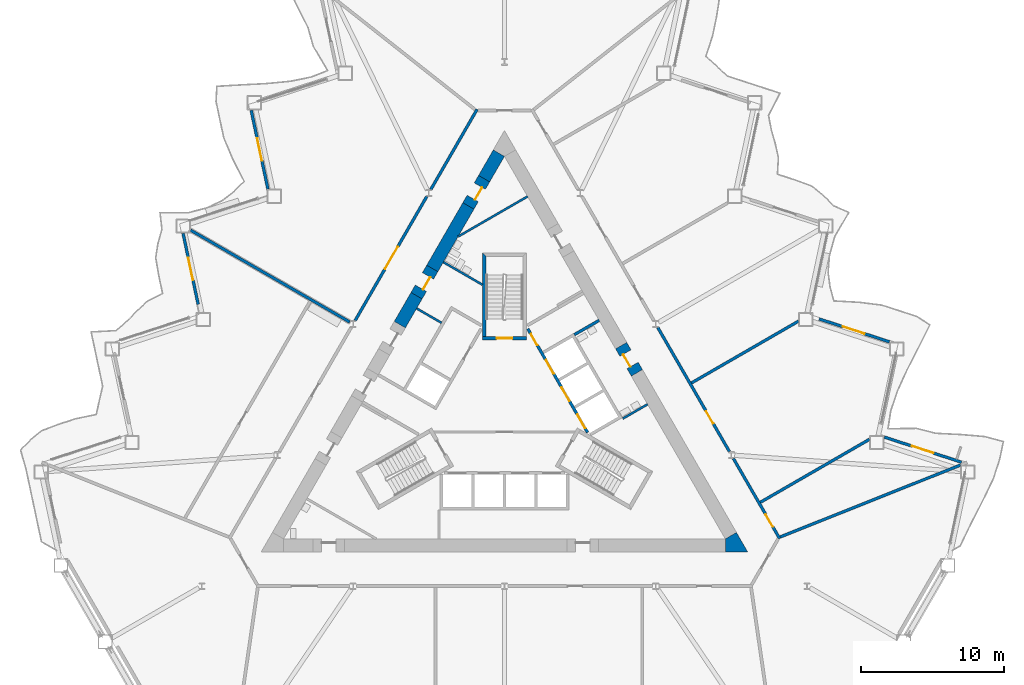
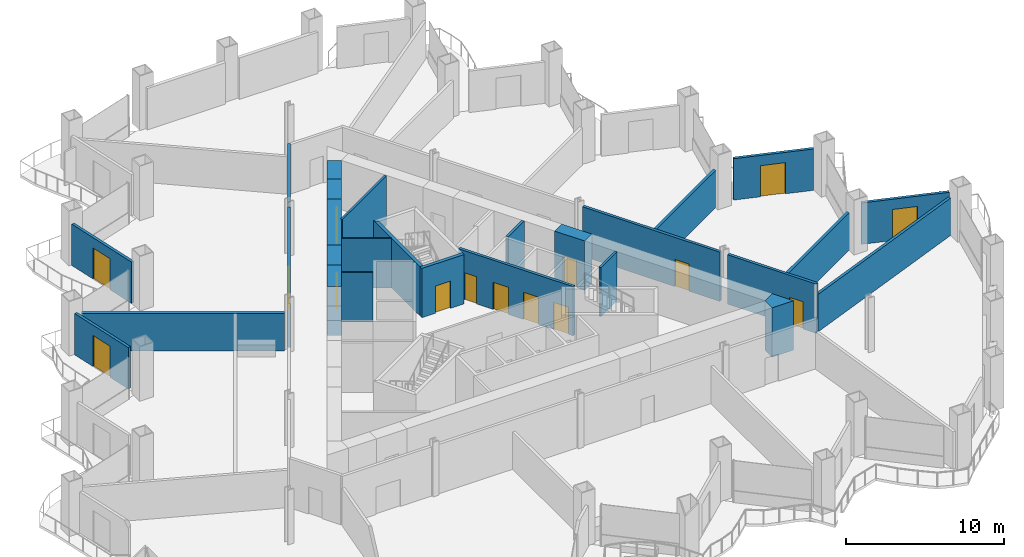
# One storey, part 11 of 20: 27 walls, 15 doors, 15 openings.
"""IFC4 building model written with IfcOpenShell, lengths in metres."""

from ifc_helpers import new_model, si_unit, direction, frame, frame_2d, origin, place, context, subcontext, project, spatial, polyline, rectangle, outline, extrude, material, layer, layer_set, type_object, element, fill, save


model = new_model("IFC4")

# Units and contexts
model_context = context("Model", 3, precision=1e-05, world=origin(), true_north=direction((0.0, 1.0)))
body_context = subcontext(model_context, "Body", "Model", "MODEL_VIEW")
ifc_project = project(units=[si_unit("LENGTHUNIT", "METRE"), si_unit("AREAUNIT", "SQUARE_METRE"), si_unit("VOLUMEUNIT", "CUBIC_METRE"), si_unit("PLANEANGLEUNIT", "RADIAN"), si_unit("MASSUNIT", "GRAM", prefix="KILO")], contexts=[model_context])

# Site, building, storey
site_placement = place(None, origin())
site = spatial("IfcSite", under=ifc_project, at=site_placement, CompositionType="ELEMENT")
building_placement = place(site_placement, origin())
building = spatial("IfcBuilding", under=site, at=building_placement, Name="Cormorant Prow Tower", CompositionType="ELEMENT")
storey_placement = place(building_placement, frame((0.0, 0.0, 38.39990234375)))
storey = spatial("IfcBuildingStorey", under=building, at=storey_placement, Name="L07", CompositionType="ELEMENT", Elevation=38.39990234375)

# Walls
ifc_material_1 = material(Name="Gypsum board partition")
ifc_layer_1 = layer(ifc_material_1, 0.14990234375)
ifc_layer_set_1 = layer_set([ifc_layer_1], Name="Gypsum board partition")
wall_type_1 = type_object("IfcWallType", Name="Core partition 150", PredefinedType="PARTITIONING", material=ifc_layer_set_1)
for number, where, z_axis, x_axis, name in (
    (1, (8.268310546875, -0.509033203125, 0.0), (0.0, 0.0, 1.0), (0.866035824272, 0.499981950752, 0.0), "Service room partition"),
    (2, (-6.139404296875, 7.196044921875, 0.0), (0.0, 0.0, 1.0), (0.866035824272, -0.499981950752, 0.0), "Service room partition"),
):
    element("IfcWall", number, at=place(storey_placement, frame(where, z_axis=z_axis, x_axis=x_axis)), inside=storey, type_object=wall_type_1, Name=name, PredefinedType="PARTITIONING", context=body_context, shape_type="SweptSolid", body=[
        extrude(rectangle(XDim=2.0087890625, YDim=0.14990234375, at=frame_2d((1.00439453125, 0.0))), origin(), (0.0, 0.0, 1.0), 3.800048828125),
    ])
wall_1_placement = place(storey_placement, frame((-4.271240234375, 10.431640625, 0.0), z_axis=(0.0, 0.0, 1.0), x_axis=(0.866018279777, -0.50001233894, 0.0)))
element("IfcWall", 3, at=wall_1_placement, inside=storey, type_object=wall_type_1, Name="Service room partition", PredefinedType="PARTITIONING", context=body_context, shape_type="SweptSolid", body=[
    extrude(rectangle(XDim=3.1591796875, YDim=0.14990234375, at=frame_2d((1.57958984375, 0.0))), origin(), (0.0, 0.0, 1.0), 3.800048828125),
])
wall_2_placement = place(storey_placement, frame((1.61865234375, 15.0263671875, 0.0), z_axis=(0.0, 0.0, 1.0), x_axis=(-0.866015917575, -0.500016430238, 0.0)))
element("IfcWall", 4, at=wall_2_placement, inside=storey, type_object=wall_type_1, Name="Service room partition", PredefinedType="PARTITIONING", context=body_context, shape_type="SweptSolid", body=[
    extrude(rectangle(XDim=5.607177734375, YDim=0.14990234375, at=frame_2d((2.8037109375, 0.0))), origin(), (0.0, 0.0, 1.0), 3.800048828125),
])
ifc_material_2 = material(Name="Concrete 8000 psi", Category="concrete")
ifc_layer_2 = layer(ifc_material_2, 0.89990234375)
ifc_layer_set_2 = layer_set([ifc_layer_2], Name="Concrete 8000 psi")
wall_type_2 = type_object("IfcWallType", Name="Core shear wall 900", PredefinedType="SHEAR", material=ifc_layer_set_2)
wall_3_placement = place(storey_placement, frame((-2.52099609375, 14.363525390625, 0.0), z_axis=(0.0, 0.0, 1.0), x_axis=(-0.500014099723, -0.866017263153, 0.0)))
element("IfcWall", 5, at=wall_3_placement, inside=storey, type_object=wall_type_2, Name="Core wall", PredefinedType="SHEAR", context=body_context, shape_type="SweptSolid", body=[
    extrude(rectangle(XDim=5.048095703125, YDim=0.89990234375, at=frame_2d((2.52392578125, 0.0))), origin(), (0.0, 0.0, 1.0), 3.800048828125),
])
wall_4_placement = place(storey_placement, frame((-6.14501953125, 8.086181640625, 0.0), z_axis=(0.0, 0.0, 1.0), x_axis=(-0.500026924946, -0.866009858102, 0.0)))
element("IfcWall", 6, at=wall_4_placement, inside=storey, type_object=wall_type_2, Name="Core wall", PredefinedType="SHEAR", context=body_context, shape_type="SweptSolid", body=[
    extrude(rectangle(XDim=2.336669921875, YDim=0.89990234375, at=frame_2d((1.16845703125, 0.0))), origin(), (0.0, 0.0, 1.0), 3.800048828125),
])
wall_5_placement = place(storey_placement, frame((-0.3896484375, 18.054931640625, 0.0), z_axis=(0.0, 0.0, 1.0), x_axis=(-0.500009360108, -0.866019999656, 0.0)))
element("IfcWall", 7, at=wall_5_placement, inside=storey, type_object=wall_type_2, Name="Core wall", PredefinedType="SHEAR", context=body_context, shape_type="SweptSolid", body=[
    extrude(rectangle(XDim=2.0625, YDim=0.89990234375, at=frame_2d((1.03125, 0.0))), origin(), (0.0, 0.0, 1.0), 3.800048828125),
])
wall_6_placement = place(storey_placement, origin())
element("IfcWall", 8, at=wall_6_placement, inside=storey, type_object=wall_type_2, Name="Core wall corner", PredefinedType="SHEAR", context=body_context, shape_type="SweptSolid", body=[
    extrude(outline(polyline([(15.441162109375, -9.81494140625), (15.441162109375, -8.9150390625), (16.220703125, -8.465087890625), (17.0, -9.81494140625), (15.441162109375, -9.81494140625)])), origin(), (0.0, 0.0, 1.0), 3.800048828125),
])

# Wall, opening, door
wall_7_placement = place(storey_placement, frame((9.26025390625, 2.690673828125, 0.0), z_axis=(0.0, 0.0, 1.0), x_axis=(-0.499946605688, 0.86605622881, 0.0)))
wall_7 = element("IfcWall", 9, at=wall_7_placement, inside=storey, type_object=wall_type_2, Name="Core wall door panel", PredefinedType="SHEAR", context=body_context, shape_type="SweptSolid", body=[
    extrude(rectangle(XDim=2.199951171875, YDim=0.89990234375, at=frame_2d((1.10009765625, 0.0))), origin(), (0.0, 0.0, 1.0), 3.800048828125),
])
opening_1_placement = place(wall_7_placement, frame((0.60009765625, 0.0, 0.0)))
opening_1 = element("IfcOpeningElement", 10, at=opening_1_placement, cuts=wall_7, Name="Opening L07-C17", PredefinedType="OPENING", context=body_context, shape_type="SweptSolid", body=[
    extrude(rectangle(XDim=1.0, YDim=2.10009765625, at=frame_2d((0.5, 1.050048828125))), frame((0.0, 0.4599609375, 0.0), z_axis=(0.0, -1.0, 0.0), x_axis=(1.0, 0.0, 0.0)), (0.0, 0.0, 1.0), 0.919921875),
])
ifc_material_3 = material(Name="Painted steel", Category="steel")
door_type_1 = type_object("IfcDoorType", Name="Service door 1000x2100", OperationType="NOTDEFINED", PredefinedType="DOOR", material=ifc_material_3)
door_1_placement = place(opening_1_placement, origin())
door_1 = element("IfcDoor", 11, at=door_1_placement, inside=storey, type_object=door_type_1, Name="Core door, Toilets (men) L07", OperationType="SINGLE_SWING_LEFT", OverallHeight=2.10009765625, OverallWidth=1.0, PredefinedType="DOOR", context=body_context, shape_type="SweptSolid", body=[
    extrude(rectangle(XDim=1.0, YDim=2.10009765625, at=frame_2d((0.5, 1.050048828125))), frame((0.0, 0.205078125, 0.0), z_axis=(0.0, -1.0, 0.0), x_axis=(1.0, 0.0, 0.0)), (0.0, 0.0, 1.0), 0.050048828125),
])
fill(opening_1, door_1)

wall_8_placement = place(storey_placement, frame((-5.045166015625, 9.99169921875, 0.0), z_axis=(0.0, 0.0, 1.0), x_axis=(-0.499898558967, -0.866083962871, 0.0)))
wall_8 = element("IfcWall", 12, at=wall_8_placement, inside=storey, type_object=wall_type_2, Name="Core wall door panel", PredefinedType="SHEAR", context=body_context, shape_type="SweptSolid", body=[
    extrude(rectangle(XDim=2.2001953125, YDim=0.89990234375, at=frame_2d((1.10009765625, 0.0))), origin(), (0.0, 0.0, 1.0), 3.800048828125),
])
opening_2_placement = place(wall_8_placement, frame((0.60009765625, 0.0, 0.0)))
opening_2 = element("IfcOpeningElement", 13, at=opening_2_placement, cuts=wall_8, Name="Opening L07-C19", PredefinedType="OPENING", context=body_context, shape_type="SweptSolid", body=[
    extrude(rectangle(XDim=1.0, YDim=2.10009765625, at=frame_2d((0.5, 1.050048828125))), frame((0.0, 0.4599609375, 0.0), z_axis=(0.0, -1.0, 0.0), x_axis=(1.0, 0.0, 0.0)), (0.0, 0.0, 1.0), 0.919921875),
])
door_2_placement = place(opening_2_placement, origin())
door_2 = element("IfcDoor", 14, at=door_2_placement, inside=storey, type_object=door_type_1, Name="Core door, Electrical room", OperationType="SINGLE_SWING_RIGHT", OverallHeight=2.10009765625, OverallWidth=1.0, PredefinedType="DOOR", context=body_context, shape_type="SweptSolid", body=[
    extrude(rectangle(XDim=1.0, YDim=2.10009765625, at=frame_2d((0.5, 1.050048828125))), frame((0.0, 0.205078125, 0.0), z_axis=(0.0, -1.0, 0.0), x_axis=(1.0, 0.0, 0.0)), (0.0, 0.0, 1.0), 0.050048828125),
])
fill(opening_2, door_2)

wall_9_placement = place(storey_placement, frame((-1.4208984375, 16.268798828125, 0.0), z_axis=(0.0, 0.0, 1.0), x_axis=(-0.50002983664, -0.866008176907, 0.0)))
wall_9 = element("IfcWall", 15, at=wall_9_placement, inside=storey, type_object=wall_type_2, Name="Core wall door panel", PredefinedType="SHEAR", context=body_context, shape_type="SweptSolid", body=[
    extrude(rectangle(XDim=2.199951171875, YDim=0.89990234375, at=frame_2d((1.10009765625, 0.0))), origin(), (0.0, 0.0, 1.0), 3.800048828125),
])
opening_3_placement = place(wall_9_placement, frame((0.60009765625, 0.0, 0.0)))
opening_3 = element("IfcOpeningElement", 16, at=opening_3_placement, cuts=wall_9, Name="Opening L07-C21", PredefinedType="OPENING", context=body_context, shape_type="SweptSolid", body=[
    extrude(rectangle(XDim=1.0, YDim=2.10009765625, at=frame_2d((0.5, 1.050048828125))), frame((0.0, 0.4599609375, 0.0), z_axis=(0.0, -1.0, 0.0), x_axis=(1.0, 0.0, 0.0)), (0.0, 0.0, 1.0), 0.919921875),
])
door_3_placement = place(opening_3_placement, origin())
door_3 = element("IfcDoor", 17, at=door_3_placement, inside=storey, type_object=door_type_1, Name="Core door, Refuse store", OperationType="SINGLE_SWING_LEFT", OverallHeight=2.10009765625, OverallWidth=1.0, PredefinedType="DOOR", context=body_context, shape_type="SweptSolid", body=[
    extrude(rectangle(XDim=1.0, YDim=2.10009765625, at=frame_2d((0.5, 1.050048828125))), frame((0.0, 0.205078125, 0.0), z_axis=(0.0, -1.0, 0.0), x_axis=(1.0, 0.0, 0.0)), (0.0, 0.0, 1.0), 0.050048828125),
])
fill(opening_3, door_3)

ifc_material_4 = material(Name="Gypsum board corridor wall")
ifc_layer_3 = layer(ifc_material_4, 0.199951171875)
ifc_layer_set_3 = layer_set([ifc_layer_3], Name="Gypsum board corridor wall")
wall_type_3 = type_object("IfcWallType", Name="Corridor wall 200", PredefinedType="PARTITIONING", material=ifc_layer_set_3)
wall_10_placement = place(storey_placement, frame((-10.438720703125, 6.349853515625, 0.0), z_axis=(0.0, 0.0, 1.0), x_axis=(0.50001002959, 0.86601961312, 0.0)))
wall_10 = element("IfcWall", 18, at=wall_10_placement, inside=storey, type_object=wall_type_3, Name="Corridor wall", PredefinedType="PARTITIONING", context=body_context, shape_type="SweptSolid", body=[
    extrude(rectangle(XDim=10.018798828125, YDim=0.199951171875, at=frame_2d((5.00927734375, 0.0))), origin(), (0.0, 0.0, 1.0), 3.800048828125),
])
opening_4_placement = place(wall_10_placement, frame((4.15966796875, 0.0, 0.0)))
opening_4 = element("IfcOpeningElement", 19, at=opening_4_placement, cuts=wall_10, Name="Opening L07-F11", PredefinedType="OPENING", context=body_context, shape_type="SweptSolid", body=[
    extrude(rectangle(XDim=1.800048828125, YDim=2.10009765625, at=frame_2d((0.89990234375, 1.050048828125))), frame((0.0, 0.10986328125, 0.0), z_axis=(0.0, -1.0, 0.0), x_axis=(1.0, 0.0, 0.0)), (0.0, 0.0, 1.0), 0.219970703125),
])
ifc_material_5 = material(Name="Timber door leaf", Category="wood")
door_type_2 = type_object("IfcDoorType", Name="Double door 1800x2100", OperationType="DOUBLE_DOOR_SINGLE_SWING", PredefinedType="DOOR", material=ifc_material_5)
door_4_placement = place(opening_4_placement, origin())
door_4 = element("IfcDoor", 20, at=door_4_placement, inside=storey, type_object=door_type_2, Name="Trading room door", OperationType="DOUBLE_DOOR_SINGLE_SWING", OverallHeight=2.10009765625, OverallWidth=1.800048828125, PredefinedType="DOOR", context=body_context, shape_type="SweptSolid", body=[
    extrude(rectangle(XDim=1.800048828125, YDim=2.10009765625, at=frame_2d((0.89990234375, 1.050048828125))), frame((0.0, 0.02490234375, 0.0), z_axis=(0.0, -1.0, 0.0), x_axis=(1.0, 0.0, 0.0)), (0.0, 0.0, 1.0), 0.050048828125),
])
fill(opening_4, door_4)

wall_11_placement = place(storey_placement, frame((10.718505859375, 5.865234375, 0.0), z_axis=(0.0, 0.0, 1.0), x_axis=(0.49999175339, -0.866030164915, 0.0)))
wall_11 = element("IfcWall", 21, at=wall_11_placement, inside=storey, type_object=wall_type_3, Name="Corridor wall", PredefinedType="PARTITIONING", context=body_context, shape_type="SweptSolid", body=[
    extrude(rectangle(XDim=10.018798828125, YDim=0.199951171875, at=frame_2d((5.00927734375, 0.0))), origin(), (0.0, 0.0, 1.0), 3.800048828125),
])
opening_5_placement = place(wall_11_placement, frame((6.764404296875, 0.0, 0.0)))
opening_5 = element("IfcOpeningElement", 22, at=opening_5_placement, cuts=wall_11, Name="Opening L07-F06", PredefinedType="OPENING", context=body_context, shape_type="SweptSolid", body=[
    extrude(rectangle(XDim=1.0, YDim=2.10009765625, at=frame_2d((0.5, 1.050048828125))), frame((0.0, 0.10986328125, 0.0), z_axis=(0.0, -1.0, 0.0), x_axis=(1.0, 0.0, 0.0)), (0.0, 0.0, 1.0), 0.219970703125),
])
ifc_material_6 = material(Name="Timber door leaf", Category="wood")
door_type_3 = type_object("IfcDoorType", Name="Office door 1000x2100", OperationType="NOTDEFINED", PredefinedType="DOOR", material=ifc_material_6)
door_5_placement = place(opening_5_placement, origin())
door_5 = element("IfcDoor", 23, at=door_5_placement, inside=storey, type_object=door_type_3, Name="Tenant suite door", OperationType="SINGLE_SWING_RIGHT", OverallHeight=2.10009765625, OverallWidth=1.0, PredefinedType="DOOR", context=body_context, shape_type="SweptSolid", body=[
    extrude(rectangle(XDim=1.0, YDim=2.10009765625, at=frame_2d((0.5, 1.050048828125))), frame((0.0, 0.02490234375, 0.0), z_axis=(0.0, -1.0, 0.0), x_axis=(1.0, 0.0, 0.0)), (0.0, 0.0, 1.0), 0.050048828125),
])
fill(opening_5, door_5)

# Wall
wall_12_placement = place(storey_placement, frame((-5.1494140625, 15.510986328125, 0.0), z_axis=(0.0, 0.0, 1.0), x_axis=(0.500001069878, 0.866024786089, 0.0)))
element("IfcWall", 24, at=wall_12_placement, inside=storey, type_object=wall_type_3, Name="Corridor wall", PredefinedType="PARTITIONING", context=body_context, shape_type="SweptSolid", body=[
    extrude(rectangle(XDim=6.47265625, YDim=0.199951171875, at=frame_2d((3.236328125, 0.0))), origin(), (0.0, 0.0, 1.0), 3.800048828125),
])

# Wall, opening, door
wall_13_placement = place(storey_placement, frame((16.007568359375, -3.2958984375, 0.0), z_axis=(0.0, 0.0, 1.0), x_axis=(0.499984737558, -0.86603421538, 0.0)))
wall_13 = element("IfcWall", 25, at=wall_13_placement, inside=storey, type_object=wall_type_3, Name="Corridor wall", PredefinedType="PARTITIONING", context=body_context, shape_type="SweptSolid", body=[
    extrude(rectangle(XDim=6.472900390625, YDim=0.199951171875, at=frame_2d((3.236328125, 0.0))), origin(), (0.0, 0.0, 1.0), 3.800048828125),
])
opening_6_placement = place(wall_13_placement, frame((4.51220703125, 0.0, 0.0)))
opening_6 = element("IfcOpeningElement", 26, at=opening_6_placement, cuts=wall_13, Name="Opening L07-F05", PredefinedType="OPENING", context=body_context, shape_type="SweptSolid", body=[
    extrude(rectangle(XDim=1.0, YDim=2.10009765625, at=frame_2d((0.5, 1.050048828125))), frame((0.0, 0.10986328125, 0.0), z_axis=(0.0, -1.0, 0.0), x_axis=(1.0, 0.0, 0.0)), (0.0, 0.0, 1.0), 0.219970703125),
])
door_6_placement = place(opening_6_placement, origin())
door_6 = element("IfcDoor", 27, at=door_6_placement, inside=storey, type_object=door_type_3, Name="Private office door", OperationType="SINGLE_SWING_RIGHT", OverallHeight=2.10009765625, OverallWidth=1.0, PredefinedType="DOOR", context=body_context, shape_type="SweptSolid", body=[
    extrude(rectangle(XDim=1.0, YDim=2.10009765625, at=frame_2d((0.5, 1.050048828125))), frame((0.0, 0.02490234375, 0.0), z_axis=(0.0, -1.0, 0.0), x_axis=(1.0, 0.0, 0.0)), (0.0, 0.0, 1.0), 0.050048828125),
])
fill(opening_6, door_6)

# Walls
ifc_material_7 = material(Name="Gypsum board demising wall")
ifc_layer_4 = layer(ifc_material_7, 0.199951171875)
ifc_layer_set_4 = layer_set([ifc_layer_4], Name="Gypsum board demising wall")
wall_type_4 = type_object("IfcWallType", Name="Demising wall 200", PredefinedType="PARTITIONING", material=ifc_layer_set_4)
wall_14_placement = place(storey_placement, frame((19.286865234375, -8.77783203125, 0.0), z_axis=(0.0, 0.0, 1.0), x_axis=(0.928821541656, 0.370527385973, 0.0)))
element("IfcWall", 28, at=wall_14_placement, inside=storey, type_object=wall_type_4, Name="Demising wall", PredefinedType="PARTITIONING", context=body_context, shape_type="SweptSolid", body=[
    extrude(rectangle(XDim=13.5576171875, YDim=0.199951171875, at=frame_2d((6.77880859375, 0.0))), origin(), (0.0, 0.0, 1.0), 2.885498046875),
])
wall_15_placement = place(storey_placement, frame((-21.947265625, 12.671142578125, 0.0), z_axis=(0.0, 0.0, 1.0), x_axis=(0.866026729935, -0.499997703033, 0.0)))
element("IfcWall", 29, at=wall_15_placement, inside=storey, type_object=wall_type_4, Name="Demising wall", PredefinedType="PARTITIONING", context=body_context, shape_type="SweptSolid", body=[
    extrude(rectangle(XDim=12.84765625, YDim=0.199951171875, at=frame_2d((6.423828125, 0.0))), origin(), (0.0, 0.0, 1.0), 2.885498046875),
])
wall_16_placement = place(storey_placement, frame((17.891357421875, -6.35888671875, 0.0), z_axis=(0.0, 0.0, 1.0), x_axis=(0.866021822855, 0.500006202301, 0.0)))
element("IfcWall", 30, at=wall_16_placement, inside=storey, type_object=wall_type_4, Name="Demising wall", PredefinedType="PARTITIONING", context=body_context, shape_type="SweptSolid", body=[
    extrude(rectangle(XDim=8.8134765625, YDim=0.199951171875, at=frame_2d((4.40673828125, 0.0))), origin(), (0.0, 0.0, 1.0), 2.885498046875),
])
wall_17_placement = place(storey_placement, frame((13.07373046875, 1.9853515625, 0.0), z_axis=(0.0, 0.0, 1.0), x_axis=(0.86602139752, 0.500006938989, 0.0)))
element("IfcWall", 31, at=wall_17_placement, inside=storey, type_object=wall_type_4, Name="Demising wall", PredefinedType="PARTITIONING", context=body_context, shape_type="SweptSolid", body=[
    extrude(rectangle(XDim=8.64208984375, YDim=0.199951171875, at=frame_2d((4.321044921875, 0.0))), origin(), (0.0, 0.0, 1.0), 2.885498046875),
])

# Wall, openings, doors
ifc_material_8 = material(Name="Concrete 5000 psi", Category="concrete")
ifc_layer_5 = layer(ifc_material_8, 0.199951171875)
ifc_layer_set_5 = layer_set([ifc_layer_5], Name="Concrete 5000 psi")
wall_type_5 = type_object("IfcWallType", Name="Lift lobby wall 200", PredefinedType="SOLIDWALL", material=ifc_layer_set_5)
wall_18_placement = place(storey_placement, frame((5.817138671875, -1.4755859375, 0.0), z_axis=(0.0, 0.0, 1.0), x_axis=(-0.500002616675, 0.866023893041, 0.0)))
wall_18 = element("IfcWall", 32, at=wall_18_placement, inside=storey, type_object=wall_type_5, Name="Lift lobby wall, ENE block", PredefinedType="SOLIDWALL", context=body_context, shape_type="SweptSolid", body=[
    extrude(rectangle(XDim=8.373046875, YDim=0.199951171875, at=frame_2d((4.1865234375, 0.0))), origin(), (0.0, 0.0, 1.0), 3.800048828125),
])
opening_7_placement = place(wall_18_placement, frame((0.336669921875, 0.0, 0.0)))
opening_7 = element("IfcOpeningElement", 33, at=opening_7_placement, cuts=wall_18, Name="Opening L07-C05", PredefinedType="OPENING", context=body_context, shape_type="SweptSolid", body=[
    extrude(rectangle(XDim=1.10009765625, YDim=2.10009765625, at=frame_2d((0.550048828125, 1.050048828125))), frame((0.0, 0.10986328125, 0.0), z_axis=(0.0, -1.0, 0.0), x_axis=(1.0, 0.0, 0.0)), (0.0, 0.0, 1.0), 0.219970703125),
])
opening_8_placement = place(wall_18_placement, frame((2.53662109375, 0.0, 0.0)))
opening_8 = element("IfcOpeningElement", 34, at=opening_8_placement, cuts=wall_18, Name="Opening L07-C06", PredefinedType="OPENING", context=body_context, shape_type="SweptSolid", body=[
    extrude(rectangle(XDim=1.10009765625, YDim=2.10009765625, at=frame_2d((0.550048828125, 1.050048828125))), frame((0.0, 0.10986328125, 0.0), z_axis=(0.0, -1.0, 0.0), x_axis=(1.0, 0.0, 0.0)), (0.0, 0.0, 1.0), 0.219970703125),
])
opening_9_placement = place(wall_18_placement, frame((4.736572265625, 0.0, 0.0)))
opening_9 = element("IfcOpeningElement", 35, at=opening_9_placement, cuts=wall_18, Name="Opening L07-C07", PredefinedType="OPENING", context=body_context, shape_type="SweptSolid", body=[
    extrude(rectangle(XDim=1.10009765625, YDim=2.10009765625, at=frame_2d((0.550048828125, 1.050048828125))), frame((0.0, 0.10986328125, 0.0), z_axis=(0.0, -1.0, 0.0), x_axis=(1.0, 0.0, 0.0)), (0.0, 0.0, 1.0), 0.219970703125),
])
opening_10_placement = place(wall_18_placement, frame((7.03662109375, 0.0, 0.0)))
opening_10 = element("IfcOpeningElement", 36, at=opening_10_placement, cuts=wall_18, Name="Opening L07-C08", PredefinedType="OPENING", context=body_context, shape_type="SweptSolid", body=[
    extrude(rectangle(XDim=0.89990234375, YDim=2.10009765625, at=frame_2d((0.449951171875, 1.050048828125))), frame((0.0, 0.10986328125, 0.0), z_axis=(0.0, -1.0, 0.0), x_axis=(1.0, 0.0, 0.0)), (0.0, 0.0, 1.0), 0.219970703125),
])
ifc_material_9 = material(Name="Painted steel", Category="steel")
door_type_4 = type_object("IfcDoorType", Name="Lift landing door 1100x2100", OperationType="SLIDING_TO_LEFT", PredefinedType="DOOR", material=ifc_material_9)
door_7_placement = place(opening_7_placement, origin())
door_7 = element("IfcDoor", 37, at=door_7_placement, inside=storey, type_object=door_type_4, Name="Landing door LR2", OperationType="SLIDING_TO_LEFT", OverallHeight=2.10009765625, OverallWidth=1.10009765625, PredefinedType="DOOR", context=body_context, shape_type="SweptSolid", body=[
    extrude(rectangle(XDim=1.10009765625, YDim=2.10009765625, at=frame_2d((0.550048828125, 1.050048828125))), frame((0.0, 0.02490234375, 0.0), z_axis=(0.0, -1.0, 0.0), x_axis=(1.0, 0.0, 0.0)), (0.0, 0.0, 1.0), 0.050048828125),
])
fill(opening_7, door_7)
door_8_placement = place(opening_8_placement, origin())
door_8 = element("IfcDoor", 38, at=door_8_placement, inside=storey, type_object=door_type_4, Name="Landing door LR3", OperationType="SLIDING_TO_LEFT", OverallHeight=2.10009765625, OverallWidth=1.10009765625, PredefinedType="DOOR", context=body_context, shape_type="SweptSolid", body=[
    extrude(rectangle(XDim=1.10009765625, YDim=2.10009765625, at=frame_2d((0.550048828125, 1.050048828125))), frame((0.0, 0.02490234375, 0.0), z_axis=(0.0, -1.0, 0.0), x_axis=(1.0, 0.0, 0.0)), (0.0, 0.0, 1.0), 0.050048828125),
])
fill(opening_8, door_8)
door_9_placement = place(opening_9_placement, origin())
door_9 = element("IfcDoor", 39, at=door_9_placement, inside=storey, type_object=door_type_4, Name="Landing door LR4", OperationType="SLIDING_TO_LEFT", OverallHeight=2.10009765625, OverallWidth=1.10009765625, PredefinedType="DOOR", context=body_context, shape_type="SweptSolid", body=[
    extrude(rectangle(XDim=1.10009765625, YDim=2.10009765625, at=frame_2d((0.550048828125, 1.050048828125))), frame((0.0, 0.02490234375, 0.0), z_axis=(0.0, -1.0, 0.0), x_axis=(1.0, 0.0, 0.0)), (0.0, 0.0, 1.0), 0.050048828125),
])
fill(opening_9, door_9)
ifc_material_10 = material(Name="Painted steel", Category="steel")
door_type_5 = type_object("IfcDoorType", Name="Service door 900x2100", OperationType="NOTDEFINED", PredefinedType="DOOR", material=ifc_material_10)
door_10_placement = place(opening_10_placement, origin())
door_10 = element("IfcDoor", 40, at=door_10_placement, inside=storey, type_object=door_type_5, Name="Service door, Linen store", OperationType="SINGLE_SWING_RIGHT", OverallHeight=2.10009765625, OverallWidth=0.89990234375, PredefinedType="DOOR", context=body_context, shape_type="SweptSolid", body=[
    extrude(rectangle(XDim=0.89990234375, YDim=2.10009765625, at=frame_2d((0.449951171875, 1.050048828125))), frame((0.0, 0.02490234375, 0.0), z_axis=(0.0, -1.0, 0.0), x_axis=(1.0, 0.0, 0.0)), (0.0, 0.0, 1.0), 0.050048828125),
])
fill(opening_10, door_10)

# Walls
ifc_material_11 = material(Name="Concrete 8000 psi", Category="concrete")
ifc_layer_6 = layer(ifc_material_11, 0.199951171875)
ifc_layer_set_6 = layer_set([ifc_layer_6], Name="Concrete 8000 psi")
wall_type_6 = type_object("IfcWallType", Name="Lift shaft wall 200", PredefinedType="SHEAR", material=ifc_layer_set_6)
wall_19_placement = place(storey_placement, frame((4.880859375, 5.3583984375, 0.0), z_axis=(0.0, 0.0, 1.0), x_axis=(0.866035824272, 0.499981950752, 0.0)))
element("IfcWall", 41, at=wall_19_placement, inside=storey, type_object=wall_type_6, Name="Store side wall", PredefinedType="SHEAR", context=body_context, shape_type="SweptSolid", body=[
    extrude(rectangle(XDim=2.0087890625, YDim=0.199951171875, at=frame_2d((1.00439453125, 0.0))), origin(), (0.0, 0.0, 1.0), 3.800048828125),
])
ifc_material_12 = material(Name="Concrete 8000 psi", Category="concrete")
ifc_layer_7 = layer(ifc_material_12, 0.25)
ifc_layer_set_7 = layer_set([ifc_layer_7], Name="Concrete 8000 psi")
wall_type_7 = type_object("IfcWallType", Name="Stair wall 250", PredefinedType="SHEAR", material=ifc_layer_set_7)
wall_20_placement = place(storey_placement, origin())
element("IfcWall", 42, at=wall_20_placement, inside=storey, type_object=wall_type_7, Name="Stair ST3 enclosure wall (flank)", PredefinedType="SHEAR", context=body_context, shape_type="SweptSolid", body=[
    extrude(outline(polyline([(-1.2939453125, 10.8369140625), (-1.5439453125, 11.0869140625), (-1.5439453125, 5.23681640625), (-1.2939453125, 5.23681640625), (-1.2939453125, 10.8369140625)])), origin(), (0.0, 0.0, 1.0), 3.800048828125),
])

# Wall, opening, door
wall_21_placement = place(storey_placement, frame((1.5439453125, 5.11181640625, 0.0), z_axis=(0.0, 0.0, 1.0), x_axis=(-1.0, 0.0, 0.0)))
wall_21 = element("IfcWall", 43, at=wall_21_placement, inside=storey, type_object=wall_type_7, Name="Stair ST3 door wall", PredefinedType="SHEAR", context=body_context, shape_type="SweptSolid", body=[
    extrude(rectangle(XDim=3.087890625, YDim=0.25, at=frame_2d((1.5439453125, 0.0))), origin(), (0.0, 0.0, 1.0), 3.800048828125),
])
opening_11_placement = place(wall_21_placement, frame((0.993896484375, 0.0, 0.0)))
opening_11 = element("IfcOpeningElement", 44, at=opening_11_placement, cuts=wall_21, Name="Opening L07-C13", PredefinedType="OPENING", context=body_context, shape_type="SweptSolid", body=[
    extrude(rectangle(XDim=1.10009765625, YDim=2.10009765625, at=frame_2d((0.550048828125, 1.050048828125))), frame((0.0, 0.135009765625, 0.0), z_axis=(0.0, -1.0, 0.0), x_axis=(1.0, 0.0, 0.0)), (0.0, 0.0, 1.0), 0.27001953125),
])
ifc_material_13 = material(Name="Painted steel", Category="steel")
door_type_6 = type_object("IfcDoorType", Name="Stair door 1100x2100", OperationType="NOTDEFINED", PredefinedType="DOOR", material=ifc_material_13)
door_11_placement = place(opening_11_placement, origin())
door_11 = element("IfcDoor", 45, at=door_11_placement, inside=storey, type_object=door_type_6, Name="Stair ST3 door", OperationType="SINGLE_SWING_RIGHT", OverallHeight=2.10009765625, OverallWidth=1.10009765625, PredefinedType="DOOR", context=body_context, shape_type="SweptSolid", body=[
    extrude(rectangle(XDim=1.10009765625, YDim=2.10009765625, at=frame_2d((0.550048828125, 1.050048828125))), frame((0.0, 0.02490234375, 0.0), z_axis=(0.0, -1.0, 0.0), x_axis=(1.0, 0.0, 0.0)), (0.0, 0.0, 1.0), 0.050048828125),
])
fill(opening_11, door_11)

ifc_material_14 = material(Name="Terracotta", Category="masonry")
ifc_layer_8 = layer(ifc_material_14, 0.199951171875)
ifc_layer_set_8 = layer_set([ifc_layer_8], Name="Terracotta")
wall_type_8 = type_object("IfcWallType", Name="Terracotta jamb wall 200", PredefinedType="SOLIDWALL", material=ifc_layer_set_8)
wall_22_placement = place(storey_placement, frame((31.95166015625, -3.5517578125, 0.0), z_axis=(0.0, 0.0, 1.0), x_axis=(-0.951049886998, 0.309037396509, 0.0)))
wall_22 = element("IfcWall", 46, at=wall_22_placement, inside=storey, type_object=wall_type_8, Name="Terracotta jamb wall ENE01", PredefinedType="SOLIDWALL", context=body_context, shape_type="SweptSolid", body=[
    extrude(rectangle(XDim=5.670654296875, YDim=0.199951171875, at=frame_2d((2.83544921875, 0.0))), origin(), (0.0, 0.0, 1.0), 3.18896484375),
])
opening_12_placement = place(wall_22_placement, frame((2.057373046875, 0.0, 0.0)))
opening_12 = element("IfcOpeningElement", 47, at=opening_12_placement, cuts=wall_22, Name="Opening ED07.06", PredefinedType="OPENING", context=body_context, shape_type="SweptSolid", body=[
    extrude(rectangle(XDim=1.60009765625, YDim=2.39990234375, at=frame_2d((0.800048828125, 1.199951171875))), frame((0.0, 0.10986328125, 0.0), z_axis=(0.0, -1.0, 0.0), x_axis=(1.0, 0.0, 0.0)), (0.0, 0.0, 1.0), 0.219970703125),
])
ifc_material_15 = material(Name="Aluminium 6063-T6", Category="aluminium")
door_type_7 = type_object("IfcDoorType", Name="Balcony door 1600x2400", OperationType="DOUBLE_DOOR_SINGLE_SWING", PredefinedType="DOOR", material=ifc_material_15)
door_12_placement = place(opening_12_placement, origin())
door_12 = element("IfcDoor", 48, at=door_12_placement, inside=storey, type_object=door_type_7, Name="Balcony door ENE01 ED07.06", OperationType="DOUBLE_DOOR_SINGLE_SWING", OverallHeight=2.39990234375, OverallWidth=1.60009765625, PredefinedType="DOOR", context=body_context, shape_type="SweptSolid", body=[
    extrude(rectangle(XDim=1.60009765625, YDim=2.39990234375, at=frame_2d((0.800048828125, 1.199951171875))), frame((0.0, 0.02490234375, 0.0), z_axis=(0.0, -1.0, 0.0), x_axis=(1.0, 0.0, 0.0)), (0.0, 0.0, 1.0), 0.050048828125),
])
fill(opening_12, door_12)

wall_23_placement = place(storey_placement, frame((26.92333984375, 4.861083984375, 0.0), z_axis=(0.0, 0.0, 1.0), x_axis=(-0.951053139094, 0.309027388138, 0.0)))
wall_23 = element("IfcWall", 49, at=wall_23_placement, inside=storey, type_object=wall_type_8, Name="Terracotta jamb wall ENE03", PredefinedType="SOLIDWALL", context=body_context, shape_type="SweptSolid", body=[
    extrude(rectangle(XDim=5.173828125, YDim=0.199951171875, at=frame_2d((2.5869140625, 0.0))), origin(), (0.0, 0.0, 1.0), 3.18896484375),
])
opening_13_placement = place(wall_23_placement, frame((1.835693359375, 0.0, 0.0)))
opening_13 = element("IfcOpeningElement", 50, at=opening_13_placement, cuts=wall_23, Name="Opening ED07.07", PredefinedType="OPENING", context=body_context, shape_type="SweptSolid", body=[
    extrude(rectangle(XDim=1.60009765625, YDim=2.39990234375, at=frame_2d((0.800048828125, 1.199951171875))), frame((0.0, 0.10986328125, 0.0), z_axis=(0.0, -1.0, 0.0), x_axis=(1.0, 0.0, 0.0)), (0.0, 0.0, 1.0), 0.219970703125),
])
door_13_placement = place(opening_13_placement, origin())
door_13 = element("IfcDoor", 51, at=door_13_placement, inside=storey, type_object=door_type_7, Name="Balcony door ENE03 ED07.07", OperationType="DOUBLE_DOOR_SINGLE_SWING", OverallHeight=2.39990234375, OverallWidth=1.60009765625, PredefinedType="DOOR", context=body_context, shape_type="SweptSolid", body=[
    extrude(rectangle(XDim=1.60009765625, YDim=2.39990234375, at=frame_2d((0.800048828125, 1.199951171875))), frame((0.0, 0.02490234375, 0.0), z_axis=(0.0, -1.0, 0.0), x_axis=(1.0, 0.0, 0.0)), (0.0, 0.0, 1.0), 0.050048828125),
])
fill(opening_13, door_13)

wall_24_placement = place(storey_placement, frame((-17.70654296875, 21.050537109375, 0.0), z_axis=(0.0, 0.0, 1.0), x_axis=(0.207933895231, -0.978142880777, 0.0)))
wall_24 = element("IfcWall", 52, at=wall_24_placement, inside=storey, type_object=wall_type_8, Name="Terracotta jamb wall WNW03", PredefinedType="SOLIDWALL", context=body_context, shape_type="SweptSolid", body=[
    extrude(rectangle(XDim=5.634521484375, YDim=0.199951171875, at=frame_2d((2.8173828125, 0.0))), origin(), (0.0, 0.0, 1.0), 3.18896484375),
])
opening_14_placement = place(wall_24_placement, frame((2.004150390625, 0.0, 0.0)))
opening_14 = element("IfcOpeningElement", 53, at=opening_14_placement, cuts=wall_24, Name="Opening ED07.12", PredefinedType="OPENING", context=body_context, shape_type="SweptSolid", body=[
    extrude(rectangle(XDim=1.60009765625, YDim=2.39990234375, at=frame_2d((0.800048828125, 1.199951171875))), frame((0.0, 0.10986328125, 0.0), z_axis=(0.0, -1.0, 0.0), x_axis=(1.0, 0.0, 0.0)), (0.0, 0.0, 1.0), 0.219970703125),
])
door_14_placement = place(opening_14_placement, origin())
door_14 = element("IfcDoor", 54, at=door_14_placement, inside=storey, type_object=door_type_7, Name="Balcony door WNW03 ED07.12", OperationType="DOUBLE_DOOR_SINGLE_SWING", OverallHeight=2.39990234375, OverallWidth=1.60009765625, PredefinedType="DOOR", context=body_context, shape_type="SweptSolid", body=[
    extrude(rectangle(XDim=1.60009765625, YDim=2.39990234375, at=frame_2d((0.800048828125, 1.199951171875))), frame((0.0, 0.02490234375, 0.0), z_axis=(0.0, -1.0, 0.0), x_axis=(1.0, 0.0, 0.0)), (0.0, 0.0, 1.0), 0.050048828125),
])
fill(opening_14, door_14)

wall_25_placement = place(storey_placement, frame((-22.46875, 12.4462890625, 0.0), z_axis=(0.0, 0.0, 1.0), x_axis=(0.207903044531, -0.978149438519, 0.0)))
wall_25 = element("IfcWall", 55, at=wall_25_placement, inside=storey, type_object=wall_type_8, Name="Terracotta jamb wall WNW05", PredefinedType="SOLIDWALL", context=body_context, shape_type="SweptSolid", body=[
    extrude(rectangle(XDim=5.076416015625, YDim=0.199951171875, at=frame_2d((2.5380859375, 0.0))), origin(), (0.0, 0.0, 1.0), 3.18896484375),
])
opening_15_placement = place(wall_25_placement, frame((1.73828125, 0.0, 0.0)))
opening_15 = element("IfcOpeningElement", 56, at=opening_15_placement, cuts=wall_25, Name="Opening ED07.13", PredefinedType="OPENING", context=body_context, shape_type="SweptSolid", body=[
    extrude(rectangle(XDim=1.60009765625, YDim=2.39990234375, at=frame_2d((0.800048828125, 1.199951171875))), frame((0.0, 0.10986328125, 0.0), z_axis=(0.0, -1.0, 0.0), x_axis=(1.0, 0.0, 0.0)), (0.0, 0.0, 1.0), 0.219970703125),
])
door_15_placement = place(opening_15_placement, origin())
door_15 = element("IfcDoor", 57, at=door_15_placement, inside=storey, type_object=door_type_7, Name="Balcony door WNW05 ED07.13", OperationType="DOUBLE_DOOR_SINGLE_SWING", OverallHeight=2.39990234375, OverallWidth=1.60009765625, PredefinedType="DOOR", context=body_context, shape_type="SweptSolid", body=[
    extrude(rectangle(XDim=1.60009765625, YDim=2.39990234375, at=frame_2d((0.800048828125, 1.199951171875))), frame((0.0, 0.02490234375, 0.0), z_axis=(0.0, -1.0, 0.0), x_axis=(1.0, 0.0, 0.0)), (0.0, 0.0, 1.0), 0.050048828125),
])
fill(opening_15, door_15)

save(model, "model.ifc")
